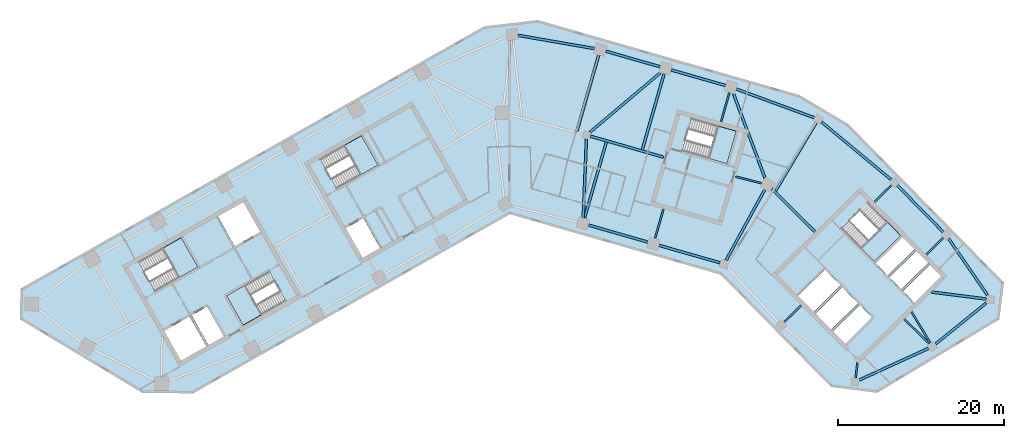
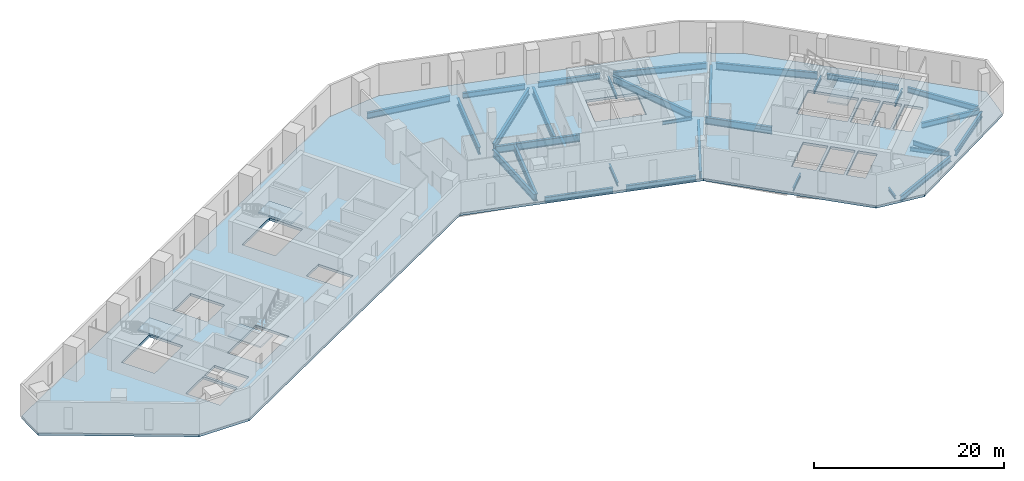
# One storey, part 2 of 10: 31 beams, 6 slabs, 5 elements without a shape of their own.
"""IFC4 building model written with IfcOpenShell, lengths in metres."""

from ifc_helpers import new_model, si_unit, direction, frame, origin, origin_2d, place, context, subcontext, project, spatial, polyline, i_section, outline, extrude, material, layer, layer_set, material_profile, profile_set, type_object, element, aggregate, save


model = new_model("IFC4")

# Units and contexts
model_context = context("Model", 3, precision=1e-05, world=origin(), true_north=direction((0.0, 1.0)))
body_context = subcontext(model_context, "Body", "Model", "MODEL_VIEW")
ifc_project = project(units=[si_unit("LENGTHUNIT", "METRE"), si_unit("AREAUNIT", "SQUARE_METRE"), si_unit("VOLUMEUNIT", "CUBIC_METRE"), si_unit("PLANEANGLEUNIT", "RADIAN"), si_unit("MASSUNIT", "GRAM", prefix="KILO")], contexts=[model_context])

# Site, building, storey
site_placement = place(None, origin())
site = spatial("IfcSite", under=ifc_project, at=site_placement, CompositionType="ELEMENT")
building_placement = place(site_placement, origin())
building = spatial("IfcBuilding", under=site, at=building_placement, Name="Binnacle Exchange Tower", CompositionType="ELEMENT")
storey_placement = place(building_placement, frame((0.0, 0.0, 119.10009765625)))
storey = spatial("IfcBuildingStorey", under=building, at=storey_placement, Name="L24", CompositionType="ELEMENT", Elevation=119.10009765625)

# Beams
ifc_material_1 = material(Name="Steel S355 (SHN355)", Category="steel")
ifc_material_profile_1 = material_profile(ifc_material_1, i_section(OverallWidth=0.300048828125, OverallDepth=0.699951171875, WebThickness=0.012939453125, FlangeThickness=0.02392578125, FilletRadius=0.028076171875, at=origin_2d()), Name="H 700x300x13x24")
ifc_profile_set_1 = profile_set([ifc_material_profile_1], Name="Steel S355 (SHN355)")
beam_type_1 = type_object("IfcBeamType", Name="Edge girder H 700x300x13x24 Steel S355 (SHN355)", PredefinedType="SPANDREL", material=ifc_profile_set_1)
beam_1_placement = place(storey_placement, frame((9.482421875, 46.529296875, -0.670166015625), z_axis=(0.961257800717, -0.275650939705, 0.0), x_axis=(0.275650939705, 0.961257800717, 0.0)))
element("IfcBeam", 1, at=beam_1_placement, inside=storey, type_object=beam_type_1, Name="S:BM:edge:L24:030", PredefinedType="SPANDREL", context=body_context, shape_type="SweptSolid", body=[
    extrude(i_section(OverallWidth=0.300048828125, OverallDepth=0.699951171875, WebThickness=0.012939453125, FlangeThickness=0.02392578125, FilletRadius=0.028076171875, at=origin_2d()), origin(), (0.0, 0.0, 1.0), 7.42041015625),
])
beam_2_placement = place(storey_placement, frame((17.961181640625, 44.09814453125, -0.670166015625), z_axis=(0.961257524102, -0.275651904325, 0.0), x_axis=(0.275651904325, 0.961257524102, 0.0)))
element("IfcBeam", 2, at=beam_2_placement, inside=storey, type_object=beam_type_1, Name="S:BM:edge:L24:032", PredefinedType="SPANDREL", context=body_context, shape_type="SweptSolid", body=[
    extrude(i_section(OverallWidth=0.300048828125, OverallDepth=0.699951171875, WebThickness=0.012939453125, FlangeThickness=0.02392578125, FilletRadius=0.028076171875, at=origin_2d()), origin(), (0.0, 0.0, 1.0), 7.620361328125),
])
for number, where, z_axis, x_axis, name in (
    (3, (18.073486328125, 65.569091796875, -0.670166015625), (-0.961258249907, 0.275649373272, 0.0), (-0.275649373272, -0.961258249907, 0.0), "S:BM:edge:L24:033"),
    (4, (25.9296875, 63.31640625, -0.670166015625), (-0.961258249907, 0.275649373272, 0.0), (-0.275649373272, -0.961258249907, 0.0), "S:BM:edge:L24:034"),
):
    element("IfcBeam", number, at=place(storey_placement, frame(where, z_axis=z_axis, x_axis=x_axis)), inside=storey, type_object=beam_type_1, Name=name, PredefinedType="SPANDREL", context=body_context, shape_type="SweptSolid", body=[
        extrude(i_section(OverallWidth=0.300048828125, OverallDepth=0.699951171875, WebThickness=0.012939453125, FlangeThickness=0.02392578125, FilletRadius=0.028076171875, at=origin_2d()), origin(), (0.0, 0.0, 1.0), 6.77294921875),
    ])
beam_3_placement = place(storey_placement, frame((51.20458984375, 32.248291015625, -0.670166015625), z_axis=(0.777570349394, 0.628795953981, 0.0), x_axis=(-0.628795953981, 0.777570349394, 0.0)))
element("IfcBeam", 5, at=beam_3_placement, inside=storey, type_object=beam_type_1, Name="S:BM:edge:L24:040", PredefinedType="SPANDREL", context=body_context, shape_type="SweptSolid", body=[
    extrude(i_section(OverallWidth=0.300048828125, OverallDepth=0.699951171875, WebThickness=0.012939453125, FlangeThickness=0.02392578125, FilletRadius=0.028076171875, at=origin_2d()), origin(), (0.0, 0.0, 1.0), 7.788330078125),
])
beam_4_placement = place(storey_placement, frame((52.1162109375, 45.69580078125, -0.670166015625), z_axis=(-0.700892629455, 0.713266795789, 0.0), x_axis=(-0.713266795789, -0.700892629455, 0.0)))
element("IfcBeam", 6, at=beam_4_placement, inside=storey, type_object=beam_type_1, Name="S:BM:edge:L24:041", PredefinedType="SPANDREL", context=body_context, shape_type="SweptSolid", body=[
    extrude(i_section(OverallWidth=0.300048828125, OverallDepth=0.699951171875, WebThickness=0.012939453125, FlangeThickness=0.02392578125, FilletRadius=0.028076171875, at=origin_2d()), origin(), (0.0, 0.0, 1.0), 7.872314453125),
])
beam_5_placement = place(storey_placement, frame((57.41943359375, 38.13330078125, -0.670166015625), z_axis=(-0.566410561214, 0.824123216604, 0.0), x_axis=(-0.824123216604, -0.566410561214, 0.0)))
element("IfcBeam", 7, at=beam_5_placement, inside=storey, type_object=beam_type_1, Name="S:BM:edge:L24:042", PredefinedType="SPANDREL", context=body_context, shape_type="SweptSolid", body=[
    extrude(i_section(OverallWidth=0.300048828125, OverallDepth=0.699951171875, WebThickness=0.012939453125, FlangeThickness=0.02392578125, FilletRadius=0.028076171875, at=origin_2d()), origin(), (0.0, 0.0, 1.0), 8.236083984375),
])
ifc_material_profile_2 = material_profile(ifc_material_1, i_section(OverallWidth=0.302001953125, OverallDepth=0.7080078125, WebThickness=0.014892578125, FlangeThickness=0.028076171875, FilletRadius=0.028076171875, at=origin_2d()), Name="H 708x302x15x28")
ifc_profile_set_2 = profile_set([ifc_material_profile_2], Name="Steel S355 (SHN355)")
beam_type_2 = type_object("IfcBeamType", Name="Edge girder H 708x302x15x28 Steel S355 (SHN355)", PredefinedType="SPANDREL", material=ifc_profile_set_2)
beam_6_placement = place(storey_placement, frame((42.054931640625, 27.919921875, -0.674072265625), z_axis=(0.909166515566, 0.41643276405, 0.0), x_axis=(-0.41643276405, 0.909166515566, 0.0)))
element("IfcBeam", 8, at=beam_6_placement, inside=storey, type_object=beam_type_2, Name="S:BM:edge:L24:038", PredefinedType="SPANDREL", context=body_context, shape_type="SweptSolid", body=[
    extrude(i_section(OverallWidth=0.302001953125, OverallDepth=0.7080078125, WebThickness=0.014892578125, FlangeThickness=0.028076171875, FilletRadius=0.028076171875, at=origin_2d()), origin(), (0.0, 0.0, 1.0), 9.128662109375),
])
ifc_material_profile_3 = material_profile(ifc_material_1, i_section(OverallWidth=0.300048828125, OverallDepth=0.800048828125, WebThickness=0.013916015625, FlangeThickness=0.02587890625, FilletRadius=0.028076171875, at=origin_2d()), Name="H 800x300x14x26")
ifc_profile_set_3 = profile_set([ifc_material_profile_3], Name="Steel S355 (SHN355)")
beam_type_3 = type_object("IfcBeamType", Name="Edge girder H 800x300x14x26 Steel S355 (SHN355)", PredefinedType="SPANDREL", material=ifc_profile_set_3)
beam_7_placement = place(storey_placement, frame((10.1962890625, 67.749267578125, -0.72021484375), z_axis=(-0.985312784176, 0.170759237931, 0.0), x_axis=(-0.170759237931, -0.985312784176, 0.0)))
element("IfcBeam", 9, at=beam_7_placement, inside=storey, type_object=beam_type_3, Name="S:BM:edge:L24:031", PredefinedType="SPANDREL", context=body_context, shape_type="SweptSolid", body=[
    extrude(i_section(OverallWidth=0.300048828125, OverallDepth=0.800048828125, WebThickness=0.013916015625, FlangeThickness=0.02587890625, FilletRadius=0.028076171875, at=origin_2d()), origin(), (0.0, 0.0, 1.0), 9.313232421875),
])
ifc_material_profile_4 = material_profile(ifc_material_1, i_section(OverallWidth=0.302001953125, OverallDepth=0.80810546875, WebThickness=0.01611328125, FlangeThickness=0.030029296875, FilletRadius=0.028076171875, at=origin_2d()), Name="H 808x302x16x30")
ifc_profile_set_4 = profile_set([ifc_material_profile_4], Name="Steel S355 (SHN355)")
beam_type_4 = type_object("IfcBeamType", Name="Edge girder H 808x302x16x30 Steel S355 (SHN355)", PredefinedType="SPANDREL", material=ifc_profile_set_4)
beam_8_placement = place(storey_placement, frame((36.60791015625, 59.438232421875, -0.72412109375), z_axis=(-0.938371988478, 0.3456269828, 0.0), x_axis=(-0.3456269828, -0.938371988478, 0.0)))
element("IfcBeam", 10, at=beam_8_placement, inside=storey, type_object=beam_type_4, Name="S:BM:edge:L24:037", PredefinedType="SPANDREL", context=body_context, shape_type="SweptSolid", body=[
    extrude(i_section(OverallWidth=0.302001953125, OverallDepth=0.80810546875, WebThickness=0.01611328125, FlangeThickness=0.030029296875, FilletRadius=0.028076171875, at=origin_2d()), origin(), (0.0, 0.0, 1.0), 9.96044921875),
])
ifc_material_profile_5 = material_profile(ifc_material_1, i_section(OverallWidth=0.300048828125, OverallDepth=0.89990234375, WebThickness=0.01611328125, FlangeThickness=0.028076171875, FilletRadius=0.028076171875, at=origin_2d()), Name="H 900x300x16x28")
ifc_profile_set_5 = profile_set([ifc_material_profile_5], Name="Steel S355 (SHN355)")
beam_type_5 = type_object("IfcBeamType", Name="Edge girder H 900x300x16x28 Steel S355 (SHN355)", PredefinedType="SPANDREL", material=ifc_profile_set_5)
beam_9_placement = place(storey_placement, frame((45.861083984375, 51.988037109375, -0.77001953125), z_axis=(-0.769903256509, 0.63816061898, 0.0), x_axis=(-0.63816061898, -0.769903256509, 0.0)))
element("IfcBeam", 11, at=beam_9_placement, inside=storey, type_object=beam_type_5, Name="S:BM:edge:L24:039", PredefinedType="SPANDREL", context=body_context, shape_type="SweptSolid", body=[
    extrude(i_section(OverallWidth=0.300048828125, OverallDepth=0.89990234375, WebThickness=0.01611328125, FlangeThickness=0.028076171875, FilletRadius=0.028076171875, at=origin_2d()), origin(), (0.0, 0.0, 1.0), 10.892822265625),
])
ifc_material_profile_6 = material_profile(ifc_material_1, i_section(OverallWidth=0.199951171875, OverallDepth=0.39990234375, WebThickness=0.008056640625, FlangeThickness=0.012939453125, FilletRadius=0.01611328125, at=origin_2d()), Name="H 400x200x8x13")
ifc_profile_set_6 = profile_set([ifc_material_profile_6], Name="Steel S355 (SHN355)")
beam_type_6 = type_object("IfcBeamType", Name="Floor beam H 400x200x8x13 Steel S355 (SHN355)", PredefinedType="BEAM", material=ifc_profile_set_6)
beam_10_placement = place(storey_placement, frame((41.582763671875, 28.1708984375, -0.52001953125), z_axis=(0.12626620762, 0.991996393549, 0.0), x_axis=(-0.991996393549, 0.12626620762, 0.0)))
element("IfcBeam", 12, at=beam_10_placement, inside=storey, type_object=beam_type_6, Name="S:BM:cross:L24:063", PredefinedType="BEAM", context=body_context, shape_type="SweptSolid", body=[
    extrude(i_section(OverallWidth=0.199951171875, OverallDepth=0.39990234375, WebThickness=0.008056640625, FlangeThickness=0.012939453125, FilletRadius=0.01611328125, at=origin_2d()), origin(), (0.0, 0.0, 1.0), 1.8310546875),
])
ifc_material_profile_7 = material_profile(ifc_material_1, i_section(OverallWidth=0.199951171875, OverallDepth=0.449951171875, WebThickness=0.009033203125, FlangeThickness=0.013916015625, FilletRadius=0.01806640625, at=origin_2d()), Name="H 450x200x9x14")
ifc_profile_set_7 = profile_set([ifc_material_profile_7], Name="Steel S355 (SHN355)")
beam_type_7 = type_object("IfcBeamType", Name="Floor beam H 450x200x9x14 Steel S355 (SHN355)", PredefinedType="BEAM", material=ifc_profile_set_7)
for number, where, z_axis, x_axis, name in (
    (13, (32.997802734375, 34.880615234375, -0.545166015625), (0.713272005304, 0.700887327928, 0.0), (-0.700887327928, 0.713272005304, 0.0), "S:BM:cross:L24:061"),
    (14, (45.8916015625, 51.31689453125, -0.545166015625), (-0.713272005304, -0.700887327928, 0.0), (0.700887327928, -0.713272005304, 0.0), "S:BM:cross:L24:064"),
    (15, (52.110107421875, 44.98876953125, -0.545166015625), (-0.713272005304, -0.700887327928, 0.0), (0.700887327928, -0.713272005304, 0.0), "S:BM:cross:L24:066"),
):
    element("IfcBeam", number, at=place(storey_placement, frame(where, z_axis=z_axis, x_axis=x_axis)), inside=storey, type_object=beam_type_7, Name=name, PredefinedType="BEAM", context=body_context, shape_type="SweptSolid", body=[
        extrude(i_section(OverallWidth=0.199951171875, OverallDepth=0.449951171875, WebThickness=0.009033203125, FlangeThickness=0.013916015625, FilletRadius=0.01806640625, at=origin_2d()), origin(), (0.0, 0.0, 1.0), 2.8583984375),
    ])
ifc_material_profile_8 = material_profile(ifc_material_1, i_section(OverallWidth=0.200927734375, OverallDepth=0.506103515625, WebThickness=0.010986328125, FlangeThickness=0.01904296875, FilletRadius=0.02001953125, at=origin_2d()), Name="H 506x201x11x19")
ifc_profile_set_8 = profile_set([ifc_material_profile_8], Name="Steel S355 (SHN355)")
beam_type_8 = type_object("IfcBeamType", Name="Floor beam H 506x201x11x19 Steel S355 (SHN355)", PredefinedType="BEAM", material=ifc_profile_set_8)
beam_11_placement = place(storey_placement, frame((17.481201171875, 44.964111328125, -0.572998046875), z_axis=(0.275643564404, 0.961259915633, 0.0), x_axis=(-0.961259915633, 0.275643564404, 0.0)))
element("IfcBeam", 16, at=beam_11_placement, inside=storey, type_object=beam_type_8, Name="S:BM:cross:L24:058", PredefinedType="BEAM", context=body_context, shape_type="SweptSolid", body=[
    extrude(i_section(OverallWidth=0.200927734375, OverallDepth=0.506103515625, WebThickness=0.010986328125, FlangeThickness=0.01904296875, FilletRadius=0.02001953125, at=origin_2d()), origin(), (0.0, 0.0, 1.0), 3.635009765625),
])
beam_12_placement = place(storey_placement, frame((26.409912109375, 62.45068359375, -0.572998046875), z_axis=(-0.275687825643, -0.961247222515, 0.0), x_axis=(0.961247222515, -0.275687825643, 0.0)))
element("IfcBeam", 17, at=beam_12_placement, inside=storey, type_object=beam_type_8, Name="S:BM:cross:L24:060", PredefinedType="BEAM", context=body_context, shape_type="SweptSolid", body=[
    extrude(i_section(OverallWidth=0.200927734375, OverallDepth=0.506103515625, WebThickness=0.010986328125, FlangeThickness=0.01904296875, FilletRadius=0.02001953125, at=origin_2d()), origin(), (0.0, 0.0, 1.0), 3.63525390625),
])
ifc_material_profile_9 = material_profile(ifc_material_1, i_section(OverallWidth=0.199951171875, OverallDepth=0.60009765625, WebThickness=0.010986328125, FlangeThickness=0.01708984375, FilletRadius=0.02197265625, at=origin_2d()), Name="H 600x200x11x17")
ifc_profile_set_9 = profile_set([ifc_material_profile_9], Name="Steel S355 (SHN355)")
beam_type_9 = type_object("IfcBeamType", Name="Floor beam H 600x200x11x17 Steel S355 (SHN355)", PredefinedType="BEAM", material=ifc_profile_set_9)
beam_13_placement = place(storey_placement, frame((50.554443359375, 32.359619140625, -0.6201171875), z_axis=(-0.515054637465, 0.857157348697, 0.0), x_axis=(-0.857157348697, -0.515054637465, 0.0)))
element("IfcBeam", 18, at=beam_13_placement, inside=storey, type_object=beam_type_9, Name="S:BM:cross:L24:065", PredefinedType="BEAM", context=body_context, shape_type="SweptSolid", body=[
    extrude(i_section(OverallWidth=0.199951171875, OverallDepth=0.60009765625, WebThickness=0.010986328125, FlangeThickness=0.01708984375, FilletRadius=0.02197265625, at=origin_2d()), origin(), (0.0, 0.0, 1.0), 4.367431640625),
])
ifc_material_profile_10 = material_profile(ifc_material_1, i_section(OverallWidth=0.300048828125, OverallDepth=0.699951171875, WebThickness=0.012939453125, FlangeThickness=0.02392578125, FilletRadius=0.028076171875, at=origin_2d()), Name="H 700x300x13x24")
ifc_profile_set_10 = profile_set([ifc_material_profile_10], Name="Steel S355 (SHN355)")
beam_type_10 = type_object("IfcBeamType", Name="Floor beam H 700x300x13x24 Steel S355 (SHN355)", PredefinedType="BEAM", material=ifc_profile_set_10)
beam_14_placement = place(storey_placement, frame((57.302978515625, 37.64404296875, -0.670166015625), z_axis=(-0.992004198178, 0.12620487628, 0.0), x_axis=(-0.12620487628, -0.992004198178, 0.0)))
element("IfcBeam", 19, at=beam_14_placement, inside=storey, type_object=beam_type_10, Name="S:BM:cross:L24:067", PredefinedType="BEAM", context=body_context, shape_type="SweptSolid", body=[
    extrude(i_section(OverallWidth=0.300048828125, OverallDepth=0.699951171875, WebThickness=0.012939453125, FlangeThickness=0.02392578125, FilletRadius=0.028076171875, at=origin_2d()), origin(), (0.0, 0.0, 1.0), 6.63134765625),
])
ifc_material_profile_11 = material_profile(ifc_material_1, i_section(OverallWidth=0.302978515625, OverallDepth=0.91796875, WebThickness=0.01904296875, FlangeThickness=0.037109375, FilletRadius=0.028076171875, at=origin_2d()), Name="H 918x303x19x37")
ifc_profile_set_11 = profile_set([ifc_material_profile_11], Name="Steel S355 (SHN355)")
beam_type_11 = type_object("IfcBeamType", Name="Floor beam H 918x303x19x37 Steel S355 (SHN355)", PredefinedType="BEAM", material=ifc_profile_set_11)
beam_15_placement = place(storey_placement, frame((9.00244140625, 47.395263671875, -0.779052734375), z_axis=(0.275642274849, 0.961260285415, 0.0), x_axis=(-0.961260285415, 0.275642274849, 0.0)))
element("IfcBeam", 20, at=beam_15_placement, inside=storey, type_object=beam_type_11, Name="S:BM:cross:L24:056", PredefinedType="BEAM", context=body_context, shape_type="SweptSolid", body=[
    extrude(i_section(OverallWidth=0.302978515625, OverallDepth=0.91796875, WebThickness=0.01904296875, FlangeThickness=0.037109375, FilletRadius=0.028076171875, at=origin_2d()), origin(), (0.0, 0.0, 1.0), 9.485107421875),
])
beam_16_placement = place(storey_placement, frame((10.697021484375, 66.9560546875, -0.779052734375), z_axis=(-0.27562260808, -0.961265924661, 0.0), x_axis=(0.961265924661, -0.27562260808, 0.0)))
element("IfcBeam", 21, at=beam_16_placement, inside=storey, type_object=beam_type_11, Name="S:BM:cross:L24:057", PredefinedType="BEAM", context=body_context, shape_type="SweptSolid", body=[
    extrude(i_section(OverallWidth=0.302978515625, OverallDepth=0.91796875, WebThickness=0.01904296875, FlangeThickness=0.037109375, FilletRadius=0.028076171875, at=origin_2d()), origin(), (0.0, 0.0, 1.0), 9.51318359375),
])
beam_17_placement = place(storey_placement, frame((18.553466796875, 64.703369140625, -0.779052734375), z_axis=(-0.275642274849, -0.961260285415, 0.0), x_axis=(0.961260285415, -0.275642274849, 0.0)))
element("IfcBeam", 22, at=beam_17_placement, inside=storey, type_object=beam_type_11, Name="S:BM:cross:L24:059", PredefinedType="BEAM", context=body_context, shape_type="SweptSolid", body=[
    extrude(i_section(OverallWidth=0.302978515625, OverallDepth=0.91796875, WebThickness=0.01904296875, FlangeThickness=0.037109375, FilletRadius=0.028076171875, at=origin_2d()), origin(), (0.0, 0.0, 1.0), 9.485107421875),
])
beam_18_placement = place(storey_placement, frame((36.829345703125, 58.832763671875, -0.779052734375), z_axis=(-0.51129570724, -0.859404852068, 0.0), x_axis=(0.859404852068, -0.51129570724, 0.0)))
element("IfcBeam", 23, at=beam_18_placement, inside=storey, type_object=beam_type_11, Name="S:BM:cross:L24:062", PredefinedType="BEAM", context=body_context, shape_type="SweptSolid", body=[
    extrude(i_section(OverallWidth=0.302978515625, OverallDepth=0.91796875, WebThickness=0.01904296875, FlangeThickness=0.037109375, FilletRadius=0.028076171875, at=origin_2d()), origin(), (0.0, 0.0, 1.0), 9.5361328125),
])
ifc_material_profile_12 = material_profile(ifc_material_1, i_section(OverallWidth=0.199951171875, OverallDepth=0.449951171875, WebThickness=0.009033203125, FlangeThickness=0.013916015625, FilletRadius=0.01806640625, at=origin_2d()), Name="H 450x200x9x14")
ifc_profile_set_12 = profile_set([ifc_material_profile_12], Name="Steel S355 (SHN355)")
beam_type_12 = type_object("IfcBeamType", Name="Spine girder H 450x200x9x14 Steel S355 (SHN355)", PredefinedType="BEAM", material=ifc_profile_set_12)
beam_19_placement = place(storey_placement, frame((27.17138671875, 52.35400390625, -0.545166015625), z_axis=(0.969348404361, -0.245690193055, 0.0), x_axis=(0.245690193055, 0.969348404361, 0.0)))
element("IfcBeam", 24, at=beam_19_placement, inside=storey, type_object=beam_type_12, Name="S:BM:spine:L24:010", PredefinedType="BEAM", context=body_context, shape_type="SweptSolid", body=[
    extrude(i_section(OverallWidth=0.199951171875, OverallDepth=0.449951171875, WebThickness=0.009033203125, FlangeThickness=0.013916015625, FilletRadius=0.01806640625, at=origin_2d()), origin(), (0.0, 0.0, 1.0), 3.20361328125),
])
ifc_material_profile_13 = material_profile(ifc_material_1, i_section(OverallWidth=0.200927734375, OverallDepth=0.506103515625, WebThickness=0.010986328125, FlangeThickness=0.01904296875, FilletRadius=0.02001953125, at=origin_2d()), Name="H 506x201x11x19")
ifc_profile_set_13 = profile_set([ifc_material_profile_13], Name="Steel S355 (SHN355)")
beam_type_13 = type_object("IfcBeamType", Name="Spine girder H 506x201x11x19 Steel S355 (SHN355)", PredefinedType="BEAM", material=ifc_profile_set_13)
beam_20_placement = place(storey_placement, frame((47.417236328125, 35.23095703125, -0.572998046875), z_axis=(0.71705117811, -0.697020521915, 0.0), x_axis=(0.697020521915, 0.71705117811, 0.0)))
element("IfcBeam", 25, at=beam_20_placement, inside=storey, type_object=beam_type_13, Name="S:BM:spine:L24:014", PredefinedType="BEAM", context=body_context, shape_type="SweptSolid", body=[
    extrude(i_section(OverallWidth=0.200927734375, OverallDepth=0.506103515625, WebThickness=0.010986328125, FlangeThickness=0.01904296875, FilletRadius=0.02001953125, at=origin_2d()), origin(), (0.0, 0.0, 1.0), 4.21728515625),
])
ifc_material_profile_14 = material_profile(ifc_material_1, i_section(OverallWidth=0.300048828125, OverallDepth=0.89990234375, WebThickness=0.01611328125, FlangeThickness=0.028076171875, FilletRadius=0.028076171875, at=origin_2d()), Name="H 900x300x16x28")
ifc_profile_set_14 = profile_set([ifc_material_profile_14], Name="Steel S355 (SHN355)")
beam_type_14 = type_object("IfcBeamType", Name="Spine girder H 900x300x16x28 Steel S355 (SHN355)", PredefinedType="BEAM", material=ifc_profile_set_14)
beam_21_placement = place(storey_placement, frame((9.22216796875, 56.887451171875, -0.77001953125), z_axis=(-0.040573469093, -0.999176557774, 0.0), x_axis=(0.999176557774, -0.040573469093, 0.0)))
element("IfcBeam", 26, at=beam_21_placement, inside=storey, type_object=beam_type_14, Name="S:BM:spine:L24:007", PredefinedType="BEAM", context=body_context, shape_type="SweptSolid", body=[
    extrude(i_section(OverallWidth=0.300048828125, OverallDepth=0.89990234375, WebThickness=0.01611328125, FlangeThickness=0.028076171875, FilletRadius=0.028076171875, at=origin_2d()), origin(), (0.0, 0.0, 1.0), 9.453125),
])
beam_22_placement = place(storey_placement, frame((30.65234375, 50.771484375, -0.77001953125), z_axis=(-0.480722811784, -0.876872612316, 0.0), x_axis=(0.876872612316, -0.480722811784, 0.0)))
element("IfcBeam", 27, at=beam_22_placement, inside=storey, type_object=beam_type_14, Name="S:BM:spine:L24:011", PredefinedType="BEAM", context=body_context, shape_type="SweptSolid", body=[
    extrude(i_section(OverallWidth=0.300048828125, OverallDepth=0.89990234375, WebThickness=0.01611328125, FlangeThickness=0.028076171875, FilletRadius=0.028076171875, at=origin_2d()), origin(), (0.0, 0.0, 1.0), 9.650390625),
])
ifc_material_profile_15 = material_profile(ifc_material_1, i_section(OverallWidth=0.302978515625, OverallDepth=0.91796875, WebThickness=0.01904296875, FlangeThickness=0.037109375, FilletRadius=0.028076171875, at=origin_2d()), Name="H 918x303x19x37")
ifc_profile_set_15 = profile_set([ifc_material_profile_15], Name="Steel S355 (SHN355)")
beam_type_15 = type_object("IfcBeamType", Name="Spine girder H 918x303x19x37 Steel S355 (SHN355)", PredefinedType="BEAM", material=ifc_profile_set_15)
beam_23_placement = place(storey_placement, frame((9.65478515625, 57.69970703125, -0.779052734375), z_axis=(0.764067648684, 0.645136131552, 0.0), x_axis=(-0.645136131552, 0.764067648684, 0.0)))
element("IfcBeam", 28, at=beam_23_placement, inside=storey, type_object=beam_type_15, Name="S:BM:spine:L24:008", PredefinedType="BEAM", context=body_context, shape_type="SweptSolid", body=[
    extrude(i_section(OverallWidth=0.302978515625, OverallDepth=0.91796875, WebThickness=0.01904296875, FlangeThickness=0.037109375, FilletRadius=0.028076171875, at=origin_2d()), origin(), (0.0, 0.0, 1.0), 11.056396484375),
])
beam_24_placement = place(storey_placement, frame((9.673583984375, 57.226318359375, -0.779052734375), z_axis=(0.961256048299, -0.275657050715, 0.0), x_axis=(0.275657050715, 0.961256048299, 0.0)))
element("IfcBeam", 29, at=beam_24_placement, inside=storey, type_object=beam_type_15, Name="S:BM:spine:L24:009", PredefinedType="BEAM", context=body_context, shape_type="SweptSolid", body=[
    extrude(i_section(OverallWidth=0.302978515625, OverallDepth=0.91796875, WebThickness=0.01904296875, FlangeThickness=0.037109375, FilletRadius=0.028076171875, at=origin_2d()), origin(), (0.0, 0.0, 1.0), 9.1630859375),
])
beam_25_placement = place(storey_placement, frame((30.6806640625, 52.212890625, -0.779052734375), z_axis=(-0.350112820386, 0.93670753867, 0.0), x_axis=(-0.93670753867, -0.350112820386, 0.0)))
element("IfcBeam", 30, at=beam_25_placement, inside=storey, type_object=beam_type_15, Name="S:BM:spine:L24:012", PredefinedType="BEAM", context=body_context, shape_type="SweptSolid", body=[
    extrude(i_section(OverallWidth=0.302978515625, OverallDepth=0.91796875, WebThickness=0.01904296875, FlangeThickness=0.037109375, FilletRadius=0.028076171875, at=origin_2d()), origin(), (0.0, 0.0, 1.0), 10.777099609375),
])
beam_26_placement = place(storey_placement, frame((31.499755859375, 50.8818359375, -0.779052734375), z_axis=(0.710998016372, -0.703194013566, 0.0), x_axis=(0.703194013566, 0.710998016372, 0.0)))
element("IfcBeam", 31, at=beam_26_placement, inside=storey, type_object=beam_type_15, Name="S:BM:spine:L24:013", PredefinedType="BEAM", context=body_context, shape_type="SweptSolid", body=[
    extrude(i_section(OverallWidth=0.302978515625, OverallDepth=0.91796875, WebThickness=0.01904296875, FlangeThickness=0.037109375, FilletRadius=0.028076171875, at=origin_2d()), origin(), (0.0, 0.0, 1.0), 7.320556640625),
])

# Slab
ifc_material_2 = material(Name="Concrete C35/45", Category="concrete")
ifc_layer_1 = layer(ifc_material_2, 0.320068359375)
ifc_layer_set_1 = layer_set([ifc_layer_1], Name="Floor slab 320 Concrete C35/45")
slab_type_1 = type_object("IfcSlabType", Name="Floor slab 320 Concrete C35/45", PredefinedType="FLOOR", material=ifc_layer_set_1)
slab_1_placement = place(storey_placement, frame((0.0, 0.0, -0.320068359375)))
element("IfcSlab", 32, at=slab_1_placement, inside=storey, type_object=slab_type_1, Name="S:SL:L24:01", PredefinedType="FLOOR", context=body_context, shape_type="SweptSolid", body=[
    extrude(outline(polyline([(59.262939453125, 39.5791015625), (58.716064453125, 35.280029296875), (44.14404296875, 26.5244140625), (38.69091796875, 27.21826171875), (25.43603515625, 40.706298828125), (0.0, 48.0), (-38.097900390625, 26.4453125), (-44.14404296875, 26.5244140625), (-58.716064453125, 35.280029296875), (-58.669921875, 38.80615234375), (-3.046142578125, 70.276611328125), (3.364501953125, 71.035400390625), (34.789794921875, 62.024169921875), (40.607421875, 58.56298828125), (59.262939453125, 39.5791015625)]), holes=[polyline([(-38.4794921875, 35.529296875), (-41.61279296875, 33.756591796875), (-39.544677734375, 30.10107421875), (-36.411376953125, 31.873779296875), (-38.4794921875, 35.529296875)]), polyline([(-34.322509765625, 33.0556640625), (-36.390625, 36.711181640625), (-38.21826171875, 35.677001953125), (-36.150146484375, 32.021484375), (-34.322509765625, 33.0556640625)]), polyline([(-34.040771484375, 38.04052734375), (-32.04638671875, 34.515625), (-26.9287109375, 37.4111328125), (-28.923095703125, 40.93603515625), (-34.040771484375, 38.04052734375)]), polyline([(-37.486572265625, 41.4912109375), (-39.480712890625, 45.01611328125), (-44.598388671875, 42.12060546875), (-42.604248046875, 38.595703125), (-37.486572265625, 41.4912109375)]), polyline([(-15.53076171875, 43.6875), (-17.598876953125, 47.343017578125), (-19.77490234375, 46.11181640625), (-17.70654296875, 42.456298828125), (-15.53076171875, 43.6875)]), polyline([(-29.914306640625, 45.775390625), (-31.982666015625, 49.430908203125), (-35.115966796875, 47.657958984375), (-33.047607421875, 44.00244140625), (-29.914306640625, 45.775390625)]), polyline([(-15.822509765625, 53.748046875), (-17.81689453125, 57.27294921875), (-22.760498046875, 54.47607421875), (-20.76611328125, 50.950927734375), (-15.822509765625, 53.748046875)]), polyline([(26.111328125, 53.9169921875), (27.227783203125, 57.810302734375), (21.864013671875, 59.348388671875), (20.74755859375, 55.455078125), (26.111328125, 53.9169921875)]), polyline([(40.268798828125, 32.201904296875), (43.549560546875, 35.426025390625), (42.07763671875, 36.923828125), (38.796875, 33.69970703125), (40.268798828125, 32.201904296875)]), polyline([(38.58642578125, 33.913818359375), (41.867431640625, 37.137939453125), (39.97509765625, 39.063720703125), (36.694091796875, 35.83935546875), (38.58642578125, 33.913818359375)]), polyline([(36.48388671875, 36.053466796875), (39.7646484375, 39.277587890625), (37.872314453125, 41.203369140625), (34.59130859375, 37.979248046875), (36.48388671875, 36.053466796875)]), polyline([(48.726806640625, 37.148681640625), (52.0078125, 40.372802734375), (50.577880859375, 41.827880859375), (47.296875, 38.603759765625), (48.726806640625, 37.148681640625)]), polyline([(47.086669921875, 38.817626953125), (50.36767578125, 42.0419921875), (48.944580078125, 43.48974609375), (45.663818359375, 40.265625), (47.086669921875, 38.817626953125)]), polyline([(45.45361328125, 40.4794921875), (48.734375, 43.703857421875), (47.3115234375, 45.151611328125), (44.030517578125, 41.927490234375), (45.45361328125, 40.4794921875)]), polyline([(43.8203125, 42.141357421875), (46.994384765625, 45.260498046875), (43.083251953125, 49.240478515625), (39.9091796875, 46.121337890625), (43.8203125, 42.141357421875)])]), origin(), (0.0, 0.0, 1.0), 0.320068359375),
])

# Stair, slab
stair_type = type_object("IfcStairType", Name="STAIR 26 RISERS 169", PredefinedType="HALF_TURN_STAIR", material=ifc_material_2)
stair_1_placement = place(storey_placement, origin())
stair_1 = element("IfcStair", 33, at=stair_1_placement, inside=storey, type_object=stair_type, Name="L24 Escape stair A1", PredefinedType="HALF_TURN_STAIR")
ifc_layer_2 = layer(ifc_material_2, 0.199951171875)
ifc_layer_set_2 = layer_set([ifc_layer_2], Name="STAIR LANDING 200")
slab_type_2 = type_object("IfcSlabType", Name="STAIR LANDING 200", PredefinedType="LANDING", material=ifc_layer_set_2)
slab_2_placement = place(storey_placement, frame((0.0, 0.0, 2.0)))
slab_2 = element("IfcSlab", 34, at=slab_2_placement, type_object=slab_type_2, Name="STA1 landing 1", PredefinedType="LANDING", context=body_context, shape_type="SweptSolid", body=[
    extrude(outline(polyline([(-39.714599609375, 40.23046875), (-37.486572265625, 41.4912109375), (-39.48095703125, 45.01611328125), (-41.708984375, 43.755615234375), (-39.714599609375, 40.23046875)])), origin(), (0.0, 0.0, 1.0), 0.199951171875),
])
aggregate(stair_1, [slab_2])

stair_2_placement = place(storey_placement, origin())
stair_2 = element("IfcStair", 35, at=stair_2_placement, inside=storey, type_object=stair_type, Name="L24 Escape stair A2", PredefinedType="HALF_TURN_STAIR")
slab_3_placement = place(storey_placement, frame((0.0, 0.0, 2.0)))
slab_3 = element("IfcSlab", 36, at=slab_3_placement, type_object=slab_type_2, Name="STA2 landing 1", PredefinedType="LANDING", context=body_context, shape_type="SweptSolid", body=[
    extrude(outline(polyline([(-31.8125, 39.30126953125), (-34.040771484375, 38.04052734375), (-32.04638671875, 34.515625), (-29.818359375, 35.7763671875), (-31.8125, 39.30126953125)])), origin(), (0.0, 0.0, 1.0), 0.199951171875),
])
aggregate(stair_2, [slab_3])

stair_3_placement = place(storey_placement, origin())
stair_3 = element("IfcStair", 37, at=stair_3_placement, inside=storey, type_object=stair_type, Name="L24 Escape stair B1", PredefinedType="HALF_TURN_STAIR")
slab_4_placement = place(storey_placement, frame((0.0, 0.0, 2.0)))
slab_4 = element("IfcSlab", 38, at=slab_4_placement, type_object=slab_type_2, Name="STB1 landing 1", PredefinedType="LANDING", context=body_context, shape_type="SweptSolid", body=[
    extrude(outline(polyline([(42.236328125, 43.75341796875), (43.8203125, 42.141357421875), (46.994384765625, 45.260498046875), (45.410400390625, 46.872314453125), (42.236328125, 43.75341796875)])), origin(), (0.0, 0.0, 1.0), 0.199951171875),
])
aggregate(stair_3, [slab_4])

stair_4_placement = place(storey_placement, origin())
stair_4 = element("IfcStair", 39, at=stair_4_placement, inside=storey, type_object=stair_type, Name="L24 Escape stair C1", PredefinedType="HALF_TURN_STAIR")
slab_5_placement = place(storey_placement, frame((0.0, 0.0, 2.0)))
slab_5 = element("IfcSlab", 40, at=slab_5_placement, type_object=slab_type_2, Name="STC1 landing 1", PredefinedType="LANDING", context=body_context, shape_type="SweptSolid", body=[
    extrude(outline(polyline([(-17.876708984375, 52.5859375), (-15.822509765625, 53.748046875), (-17.81689453125, 57.27294921875), (-19.870849609375, 56.11083984375), (-17.876708984375, 52.5859375)])), origin(), (0.0, 0.0, 1.0), 0.199951171875),
])
aggregate(stair_4, [slab_5])

stair_5_placement = place(storey_placement, origin())
stair_5 = element("IfcStair", 41, at=stair_5_placement, inside=storey, type_object=stair_type, Name="L24 Escape stair D1", PredefinedType="HALF_TURN_STAIR")
slab_6_placement = place(storey_placement, frame((0.0, 0.0, 2.0)))
slab_6 = element("IfcSlab", 42, at=slab_6_placement, type_object=slab_type_2, Name="STD1 landing 1", PredefinedType="LANDING", context=body_context, shape_type="SweptSolid", body=[
    extrude(outline(polyline([(23.93896484375, 54.5400390625), (26.111328125, 53.917236328125), (27.227783203125, 57.810302734375), (25.05517578125, 58.43310546875), (23.93896484375, 54.5400390625)])), origin(), (0.0, 0.0, 1.0), 0.199951171875),
])
aggregate(stair_5, [slab_6])

save(model, "model.ifc")
